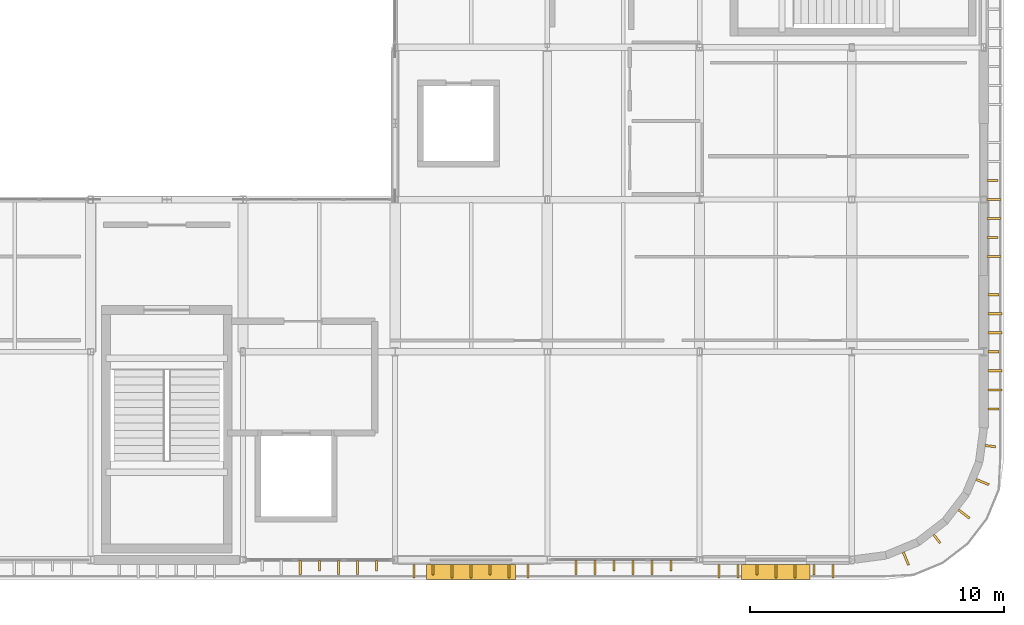
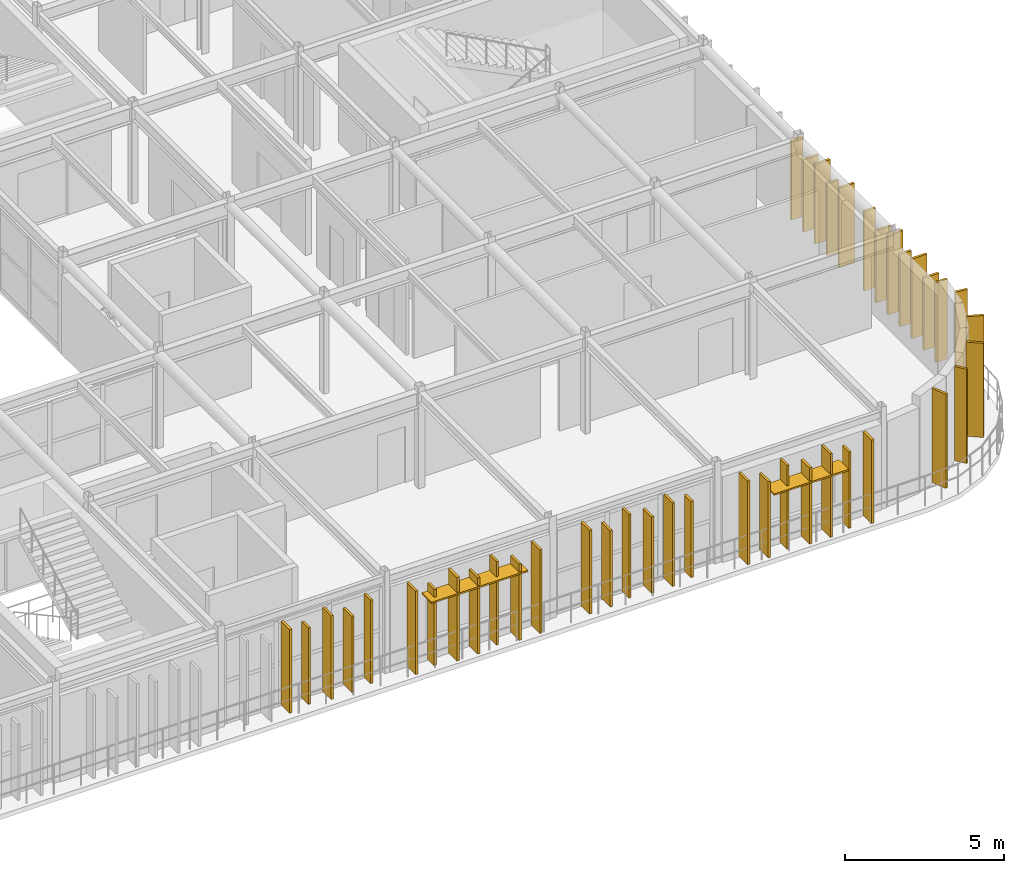
# One storey, part 25 of 27: 42 coverings, 2 shading devices.
"""IFC4 building model written with IfcOpenShell, lengths in metres."""

import ifcopenshell
import ifcopenshell.guid

model = None  # the IFC model being written
_history = None  # IfcOwnerHistory: only IFC2X3 demands one
_inside = {}  # id of a spatial element -> (the spatial element, [elements in it])
_under = {}  # id of a project, library or spatial element -> (it, [spatial elements below it])
_declared = {}  # id of a project -> (the project, [libraries it declares])
_typed = {}  # id of a type object -> (the type object, [elements of that type])
_made_of = {}  # id of a material, layer set ... -> (it, [elements and type objects made of it])


def new_model(schema):
    """Start an empty IFC model of exactly this schema.

    Asked for "IFC4X3", IfcOpenShell would pick the latest addendum, in which some entities
    have other attributes; the version numbers below select the first issue.
    IFC2X3 requires an IfcOwnerHistory on every rooted entity: one is made here for all.
    """
    global model, _history
    if schema == "IFC4X3":
        model = ifcopenshell.file(schema_version=(4, 3, 0, 0))
    else:
        model = ifcopenshell.file(schema=schema)
    _inside.clear()
    _under.clear()
    _declared.clear()
    _typed.clear()
    _made_of.clear()
    _history = None
    if model.schema == "IFC2X3":
        org = make("IfcOrganization", Name="unknown")
        user = make(
            "IfcPersonAndOrganization",
            ThePerson=make("IfcPerson", FamilyName="unknown"),
            TheOrganization=org,
        )
        app = make(
            "IfcApplication",
            ApplicationDeveloper=org,
            Version="unknown",
            ApplicationFullName="unknown",
            ApplicationIdentifier="unknown",
        )
        _history = make(
            "IfcOwnerHistory",
            OwningUser=user,
            OwningApplication=app,
            ChangeAction="ADDED",
            CreationDate=0,
        )
    return model


def make(cls, **values):
    """One entity of the class cls with the attributes given. An attribute that is None is left unset."""
    return model.create_entity(
        cls, **{name: value for name, value in values.items() if value is not None}
    )


def rooted(cls, **values):
    """An entity with a GlobalId (a new one), such as an element, a storey or a relation."""
    return make(cls, GlobalId=ifcopenshell.guid.new(), OwnerHistory=_history, **values)


def si_unit(unit_type, name, prefix=None):
    """IfcSIUnit, for example si_unit("LENGTHUNIT", "METRE", prefix="MILLI")."""
    return make("IfcSIUnit", UnitType=unit_type, Prefix=prefix, Name=name)


def assignment(units):
    """IfcUnitAssignment: the units of a project."""
    return None if units is None else make("IfcUnitAssignment", Units=units)


def point(xyz):
    """IfcCartesianPoint."""
    return None if xyz is None else make("IfcCartesianPoint", Coordinates=xyz)


def direction(xyz):
    """IfcDirection."""
    return None if xyz is None else make("IfcDirection", DirectionRatios=xyz)


def frame(location, z_axis=None, x_axis=None):
    """IfcAxis2Placement3D, a coordinate frame: its origin and axes. An axis left out is left unset."""
    return make(
        "IfcAxis2Placement3D",
        Location=point(location),
        Axis=direction(z_axis),
        RefDirection=direction(x_axis),
    )


def frame_2d(location, x_axis=None):
    """IfcAxis2Placement2D, a coordinate frame in the plane: its origin and x axis."""
    return make(
        "IfcAxis2Placement2D", Location=point(location), RefDirection=direction(x_axis)
    )


def origin():
    """The frame at (0, 0, 0) with its axes left unset."""
    return frame((0.0, 0.0, 0.0))


def origin_2d():
    """The frame at (0, 0) in the plane with its x axis left unset."""
    return frame_2d((0.0, 0.0))


def place(relative_to, where):
    """IfcLocalPlacement: puts the frame where relative to a parent placement (None: the world)."""
    return make(
        "IfcLocalPlacement", PlacementRelTo=relative_to, RelativePlacement=where
    )


def context(
    kind, dimensions, precision=None, world=None, true_north=None, identifier=None
):
    """IfcGeometricRepresentationContext, for example the 3D "Model" context."""
    return make(
        "IfcGeometricRepresentationContext",
        ContextIdentifier=identifier,
        ContextType=kind,
        CoordinateSpaceDimension=dimensions,
        Precision=precision,
        WorldCoordinateSystem=world,
        TrueNorth=true_north,
    )


def subcontext(parent, identifier, kind, view, scale=None):
    """IfcGeometricRepresentationSubContext, for example "Body" below "Model"."""
    return make(
        "IfcGeometricRepresentationSubContext",
        ContextIdentifier=identifier,
        ContextType=kind,
        ParentContext=parent,
        TargetScale=scale,
        TargetView=view,
    )


def project(units=None, contexts=None):
    """IfcProject with its units and contexts."""
    return rooted(
        "IfcProject",
        Name="project",
        RepresentationContexts=contexts,
        UnitsInContext=assignment(units),
    )


def spatial(cls, under=None, at=None, **own):
    """A site, building, storey or space (cls), placed at a placement, below another one or the project."""
    s = rooted(cls, ObjectPlacement=at, **own)
    if under is not None:
        _under.setdefault(under.id(), (under, []))[1].append(s)
    return s


def profile(cls, at=None, kind="AREA", **sizes):
    """A parametric profile (cls). Its sizes go by their IFC names, for example OverallWidth=200.0."""
    return make(cls, ProfileType=kind, Position=at, **sizes)


def rectangle(**sizes):
    """IfcRectangleProfileDef."""
    return profile("IfcRectangleProfileDef", **sizes)


def extrude(swept, where, along, depth):
    """IfcExtrudedAreaSolid: the profile swept, set in the frame where, extruded along a direction by depth."""
    return make(
        "IfcExtrudedAreaSolid",
        SweptArea=swept,
        Position=where,
        ExtrudedDirection=direction(along),
        Depth=depth,
    )


def shape(context_of_items, identifier, shape_type, items):
    """IfcShapeRepresentation: the items that make up one representation, for example the "Body"."""
    return make(
        "IfcShapeRepresentation",
        ContextOfItems=context_of_items,
        RepresentationIdentifier=identifier,
        RepresentationType=shape_type,
        Items=items,
    )


def material(Name=None, Category=None):
    """IfcMaterial."""
    return make("IfcMaterial", Name=Name, Category=Category)


def layer(
    of_material, thickness, ventilated=None, Name=None, Category=None, Priority=None
):
    """IfcMaterialLayer: one layer of a wall or slab, of a material (None: an air gap)."""
    return make(
        "IfcMaterialLayer",
        Material=of_material,
        LayerThickness=thickness,
        IsVentilated=ventilated,
        Name=Name,
        Category=Category,
        Priority=Priority,
    )


def layer_set(layers, Name=None):
    """IfcMaterialLayerSet."""
    return make("IfcMaterialLayerSet", MaterialLayers=layers, LayerSetName=Name)


def made_of(thing, what):
    """Note that an element or type object is made of a material, layer set ...; save() writes the relation."""
    if what is not None:
        _made_of.setdefault(what.id(), (what, []))[1].append(thing)
    return thing


def type_object(cls, material=None, **own):
    """A type object (cls), such as IfcWallType, which elements share."""
    return made_of(rooted(cls, **own), material)


def element(
    cls,
    number,
    at=None,
    inside=None,
    cuts=None,
    type_object=None,
    material=None,
    context=None,
    identifier="Body",
    shape_type=None,
    held_by="IfcProductDefinitionShape",
    body=None,
    shapes=None,
    **own,
):
    """One element of the class cls, such as IfcWall. Its Tag is "e" and its number.

    at: its placement. inside: the storey or other place that contains it. cuts: it is an
    opening in that element (IfcRelVoidsElement). A single representation is given by context,
    identifier, shape_type and body (its items); several are given by shapes. held_by: the class
    of the entity that holds the representations. save() writes the other relations.
    """
    e = rooted(cls, Tag="e%d" % number, ObjectPlacement=at, **own)
    if body is not None:
        shapes = [shape(context, identifier, shape_type, body)]
    if shapes is not None:
        e.Representation = make(held_by, Representations=shapes)
    if inside is not None:
        _inside.setdefault(inside.id(), (inside, []))[1].append(e)
    if cuts is not None:
        rooted(
            "IfcRelVoidsElement", RelatingBuildingElement=cuts, RelatedOpeningElement=e
        )
    if type_object is not None:
        _typed.setdefault(type_object.id(), (type_object, []))[1].append(e)
    return made_of(e, material)


def aggregate(whole, parts):
    """IfcRelAggregates: a whole, such as a stair, and the parts it consists of."""
    return rooted("IfcRelAggregates", RelatingObject=whole, RelatedObjects=parts)


def save(model, path):
    """Write the relations noted so far, then the file.

    IfcRelAggregates (storeys below a building ...), IfcRelContainedInSpatialStructure (elements
    in a storey), IfcRelDefinesByType, IfcRelAssociatesMaterial and IfcRelDeclares: one each for
    every whole, place, type object, material and project.
    """
    for whole, parts in _under.values():
        aggregate(whole, parts)
    for where, things in _inside.values():
        rooted(
            "IfcRelContainedInSpatialStructure",
            RelatedElements=things,
            RelatingStructure=where,
        )
    for kind, things in _typed.values():
        rooted("IfcRelDefinesByType", RelatedObjects=things, RelatingType=kind)
    for what, things in _made_of.values():
        rooted("IfcRelAssociatesMaterial", RelatedObjects=things, RelatingMaterial=what)
    for by, libraries in _declared.values():
        rooted("IfcRelDeclares", RelatingContext=by, RelatedDefinitions=libraries)
    model.write(path)


model = new_model("IFC4")

# Units and contexts
model_context = context("Model", 3, precision=1e-05, world=origin(), true_north=direction((0.0, 1.0)))
body_context = subcontext(model_context, "Body", "Model", "MODEL_VIEW")
ifc_project = project(units=[si_unit("LENGTHUNIT", "METRE"), si_unit("AREAUNIT", "SQUARE_METRE"), si_unit("VOLUMEUNIT", "CUBIC_METRE"), si_unit("PLANEANGLEUNIT", "RADIAN"), si_unit("MASSUNIT", "GRAM", prefix="KILO")], contexts=[model_context])

# Site, building, storey
site_placement = place(None, origin())
site = spatial("IfcSite", under=ifc_project, at=site_placement, CompositionType="ELEMENT")
building_placement = place(site_placement, origin())
building = spatial("IfcBuilding", under=site, at=building_placement, Name="Varnakota Square Police Headquarters", CompositionType="ELEMENT")
storey_placement = place(building_placement, frame((0.0, 0.0, 26.10009765625)))
storey = spatial("IfcBuildingStorey", under=building, at=storey_placement, Name="L06", CompositionType="ELEMENT", Elevation=26.10009765625)

# Coverings
ifc_material_1 = material(Name="White Anodised Aluminium Vertical Facade Blade 420", Category="aluminium")
ifc_layer_1 = layer(ifc_material_1, 0.0849609375, Name="White Anodised Aluminium Vertical Facade Blade 420")
ifc_layer_set_1 = layer_set([ifc_layer_1], Name="White Anodised Aluminium Vertical Facade Blade 420")
covering_type_1 = type_object("IfcCoveringType", Name="COV-FIN-420", PredefinedType="CLADDING", material=ifc_layer_set_1)
covering_1_placement = place(storey_placement, frame((135.012451171875, 0.5625, 0.0400390625), z_axis=(0.0, 0.0, 1.0), x_axis=(1.0, 0.0, 0.0)))
element("IfcCovering", 1, at=covering_1_placement, inside=storey, type_object=covering_type_1, Name="Vertical aluminium facade fin FIN-0745", PredefinedType="CLADDING", context=body_context, shape_type="SweptSolid", body=[
    extrude(rectangle(XDim=0.0849609375, YDim=0.419921875, at=origin_2d()), origin(), (0.0, 0.0, 1.0), 2.919921875),
])
covering_2_placement = place(storey_placement, frame((137.262451171875, 0.5625, 0.0400390625), z_axis=(0.0, 0.0, 1.0), x_axis=(1.0, 0.0, 0.0)))
element("IfcCovering", 2, at=covering_2_placement, inside=storey, type_object=covering_type_1, Name="Vertical aluminium facade fin FIN-0748", PredefinedType="CLADDING", context=body_context, shape_type="SweptSolid", body=[
    extrude(rectangle(XDim=0.0849609375, YDim=0.419921875, at=origin_2d()), origin(), (0.0, 0.0, 1.0), 3.199951171875),
])
covering_3_placement = place(storey_placement, frame((139.487548828125, 0.4150390625, 0.0400390625), z_axis=(0.0, 0.0, 1.0), x_axis=(1.0, 0.0, 0.0)))
element("IfcCovering", 3, at=covering_3_placement, inside=storey, type_object=covering_type_1, Name="Vertical aluminium facade fin FIN-0750", PredefinedType="CLADDING", context=body_context, shape_type="SweptSolid", body=[
    extrude(rectangle(XDim=0.0849609375, YDim=0.419921875, at=origin_2d()), origin(), (0.0, 0.0, 1.0), 2.919921875),
])
for number, where, z_axis, x_axis, name in (
    (4, (141.737548828125, 0.4150390625, 0.0400390625), (0.0, 0.0, 1.0), (1.0, 0.0, 0.0), "Vertical aluminium facade fin FIN-0753"),
    (5, (146.625, 0.5625, 0.0400390625), (0.0, 0.0, 1.0), (1.0, 0.0, 0.0), "Vertical aluminium facade fin FIN-0758"),
):
    element("IfcCovering", number, at=place(storey_placement, frame(where, z_axis=z_axis, x_axis=x_axis)), inside=storey, type_object=covering_type_1, Name=name, PredefinedType="CLADDING", context=body_context, shape_type="SweptSolid", body=[
        extrude(rectangle(XDim=0.0849609375, YDim=0.419921875, at=origin_2d()), origin(), (0.0, 0.0, 1.0), 3.199951171875),
    ])
covering_4_placement = place(storey_placement, frame((148.875, 0.5625, 0.0400390625), z_axis=(0.0, 0.0, 1.0), x_axis=(1.0, 0.0, 0.0)))
element("IfcCovering", 6, at=covering_4_placement, inside=storey, type_object=covering_type_1, Name="Vertical aluminium facade fin FIN-0761", PredefinedType="CLADDING", context=body_context, shape_type="SweptSolid", body=[
    extrude(rectangle(XDim=0.0849609375, YDim=0.419921875, at=origin_2d()), origin(), (0.0, 0.0, 1.0), 2.919921875),
])
covering_5_placement = place(storey_placement, frame((152.262451171875, 0.4150390625, 0.0400390625), z_axis=(0.0, 0.0, 1.0), x_axis=(1.0, 0.0, 0.0)))
element("IfcCovering", 7, at=covering_5_placement, inside=storey, type_object=covering_type_1, Name="Vertical aluminium facade fin FIN-0764", PredefinedType="CLADDING", context=body_context, shape_type="SweptSolid", body=[
    extrude(rectangle(XDim=0.0849609375, YDim=0.419921875, at=origin_2d()), origin(), (0.0, 0.0, 1.0), 3.199951171875),
])
covering_6_placement = place(storey_placement, frame((154.512451171875, 0.4150390625, 0.0400390625), z_axis=(0.0, 0.0, 1.0), x_axis=(1.0, 0.0, 0.0)))
element("IfcCovering", 8, at=covering_6_placement, inside=storey, type_object=covering_type_1, Name="Vertical aluminium facade fin FIN-0767", PredefinedType="CLADDING", context=body_context, shape_type="SweptSolid", body=[
    extrude(rectangle(XDim=0.0849609375, YDim=0.419921875, at=origin_2d()), origin(), (0.0, 0.0, 1.0), 2.919921875),
])
covering_7_placement = place(storey_placement, frame((161.5849609375, 6.75, 0.0400390625), z_axis=(0.0, 0.0, 1.0), x_axis=(0.0, 1.0, 0.0)))
element("IfcCovering", 9, at=covering_7_placement, inside=storey, type_object=covering_type_1, Name="Vertical aluminium facade fin FIN-0769", PredefinedType="CLADDING", context=body_context, shape_type="SweptSolid", body=[
    extrude(rectangle(XDim=0.0849609375, YDim=0.419921875, at=origin_2d()), origin(), (0.0, 0.0, 1.0), 3.050048828125),
])
covering_8_placement = place(storey_placement, frame((161.5849609375, 9.0, 0.039794921875), z_axis=(0.0, 0.0, 1.0), x_axis=(0.0, 1.0, 0.0)))
element("IfcCovering", 10, at=covering_8_placement, inside=storey, type_object=covering_type_1, Name="Vertical aluminium facade fin FIN-0772", PredefinedType="CLADDING", context=body_context, shape_type="SweptSolid", body=[
    extrude(rectangle(XDim=0.0849609375, YDim=0.419921875, at=origin_2d()), origin(), (0.0, 0.0, 1.0), 2.77001953125),
])
covering_9_placement = place(storey_placement, frame((161.5849609375, 11.25, 0.0400390625), z_axis=(0.0, 0.0, 1.0), x_axis=(0.0, 1.0, 0.0)))
element("IfcCovering", 11, at=covering_9_placement, inside=storey, type_object=covering_type_1, Name="Vertical aluminium facade fin FIN-0775", PredefinedType="CLADDING", context=body_context, shape_type="SweptSolid", body=[
    extrude(rectangle(XDim=0.0849609375, YDim=0.419921875, at=origin_2d()), origin(), (0.0, 0.0, 1.0), 3.050048828125),
])
covering_10_placement = place(storey_placement, frame((161.544921875, 13.5, 0.039794921875), z_axis=(0.0, 0.0, 1.0), x_axis=(0.0, 1.0, 0.0)))
element("IfcCovering", 12, at=covering_10_placement, inside=storey, type_object=covering_type_1, Name="Vertical aluminium facade fin FIN-0777", PredefinedType="CLADDING", context=body_context, shape_type="SweptSolid", body=[
    extrude(rectangle(XDim=0.0849609375, YDim=0.419921875, at=origin_2d()), origin(), (0.0, 0.0, 1.0), 2.77001953125),
])
covering_11_placement = place(storey_placement, frame((161.544921875, 15.75, 0.0400390625), z_axis=(0.0, 0.0, 1.0), x_axis=(0.0, 1.0, 0.0)))
element("IfcCovering", 13, at=covering_11_placement, inside=storey, type_object=covering_type_1, Name="Vertical aluminium facade fin FIN-0780", PredefinedType="CLADDING", context=body_context, shape_type="SweptSolid", body=[
    extrude(rectangle(XDim=0.0849609375, YDim=0.419921875, at=origin_2d()), origin(), (0.0, 0.0, 1.0), 3.050048828125),
])
for number, where, z_axis, x_axis, name in (
    (14, (159.3544921875, 1.628173828125, 0.039794921875), (0.0, 0.0, 1.0), (0.793353340291, 0.608761429009, 0.0), "Vertical aluminium facade fin FIN-0808"),
    (15, (161.46337890625, 5.28076171875, 0.039794921875), (0.0, 0.0, 1.0), (0.13052619222, 0.991444861374, 0.0), "Vertical aluminium facade fin FIN-0811"),
):
    element("IfcCovering", number, at=place(storey_placement, frame(where, z_axis=z_axis, x_axis=x_axis)), inside=storey, type_object=covering_type_1, Name=name, PredefinedType="CLADDING", context=body_context, shape_type="SweptSolid", body=[
        extrude(rectangle(XDim=0.0849609375, YDim=0.419921875, at=origin_2d()), origin(), (0.0, 0.0, 1.0), 3.60498046875),
    ])
ifc_material_2 = material(Name="White Anodised Aluminium Vertical Facade Blade 550", Category="aluminium")
ifc_layer_2 = layer(ifc_material_2, 0.0849609375, Name="White Anodised Aluminium Vertical Facade Blade 550")
ifc_layer_set_2 = layer_set([ifc_layer_2], Name="White Anodised Aluminium Vertical Facade Blade 550")
covering_type_2 = type_object("IfcCoveringType", Name="COV-FIN-550", PredefinedType="CLADDING", material=ifc_layer_set_2)
for number, where, z_axis, x_axis, name in (
    (16, (134.262451171875, 0.49755859375, 0.0400390625), (0.0, 0.0, 1.0), (1.0, 0.0, 0.0), "Vertical aluminium facade fin FIN-0744"),
    (17, (135.762451171875, 0.49755859375, 0.0400390625), (0.0, 0.0, 1.0), (1.0, 0.0, 0.0), "Vertical aluminium facade fin FIN-0746"),
):
    element("IfcCovering", number, at=place(storey_placement, frame(where, z_axis=z_axis, x_axis=x_axis)), inside=storey, type_object=covering_type_2, Name=name, PredefinedType="CLADDING", context=body_context, shape_type="SweptSolid", body=[
        extrude(rectangle(XDim=0.0849609375, YDim=0.550048828125, at=origin_2d()), origin(), (0.0, 0.0, 1.0), 3.199951171875),
    ])
covering_12_placement = place(storey_placement, frame((136.512451171875, 0.49755859375, 0.0400390625), z_axis=(0.0, 0.0, 1.0), x_axis=(1.0, 0.0, 0.0)))
element("IfcCovering", 18, at=covering_12_placement, inside=storey, type_object=covering_type_2, Name="Vertical aluminium facade fin FIN-0747", PredefinedType="CLADDING", context=body_context, shape_type="SweptSolid", body=[
    extrude(rectangle(XDim=0.0849609375, YDim=0.550048828125, at=origin_2d()), origin(), (0.0, 0.0, 1.0), 2.919921875),
])
for number, where, z_axis, x_axis, name in (
    (19, (138.737548828125, 0.35009765625, 0.0400390625), (0.0, 0.0, 1.0), (1.0, 0.0, 0.0), "Vertical aluminium facade fin FIN-0749"),
    (20, (140.237548828125, 0.35009765625, 0.0400390625), (0.0, 0.0, 1.0), (1.0, 0.0, 0.0), "Vertical aluminium facade fin FIN-0751"),
):
    element("IfcCovering", number, at=place(storey_placement, frame(where, z_axis=z_axis, x_axis=x_axis)), inside=storey, type_object=covering_type_2, Name=name, PredefinedType="CLADDING", context=body_context, shape_type="SweptSolid", body=[
        extrude(rectangle(XDim=0.0849609375, YDim=0.550048828125, at=origin_2d()), origin(), (0.0, 0.0, 1.0), 3.199951171875),
    ])
for number, where, z_axis, x_axis, name in (
    (21, (140.987548828125, 0.35009765625, 0.0400390625), (0.0, 0.0, 1.0), (1.0, 0.0, 0.0), "Vertical aluminium facade fin FIN-0752"),
    (22, (142.487548828125, 0.35009765625, 0.0400390625), (0.0, 0.0, 1.0), (1.0, 0.0, 0.0), "Vertical aluminium facade fin FIN-0754"),
):
    element("IfcCovering", number, at=place(storey_placement, frame(where, z_axis=z_axis, x_axis=x_axis)), inside=storey, type_object=covering_type_2, Name=name, PredefinedType="CLADDING", context=body_context, shape_type="SweptSolid", body=[
        extrude(rectangle(XDim=0.0849609375, YDim=0.550048828125, at=origin_2d()), origin(), (0.0, 0.0, 1.0), 2.919921875),
    ])
for number, where, z_axis, x_axis, name in (
    (23, (143.237548828125, 0.35009765625, 0.0400390625), (0.0, 0.0, 1.0), (1.0, 0.0, 0.0), "Vertical aluminium facade fin FIN-0755"),
    (24, (145.125, 0.49755859375, 0.0400390625), (0.0, 0.0, 1.0), (1.0, 0.0, 0.0), "Vertical aluminium facade fin FIN-0756"),
):
    element("IfcCovering", number, at=place(storey_placement, frame(where, z_axis=z_axis, x_axis=x_axis)), inside=storey, type_object=covering_type_2, Name=name, PredefinedType="CLADDING", context=body_context, shape_type="SweptSolid", body=[
        extrude(rectangle(XDim=0.0849609375, YDim=0.550048828125, at=origin_2d()), origin(), (0.0, 0.0, 1.0), 3.199951171875),
    ])
for number, where, z_axis, x_axis, name in (
    (25, (145.875, 0.49755859375, 0.0400390625), (0.0, 0.0, 1.0), (1.0, 0.0, 0.0), "Vertical aluminium facade fin FIN-0757"),
    (26, (147.375, 0.49755859375, 0.0400390625), (0.0, 0.0, 1.0), (1.0, 0.0, 0.0), "Vertical aluminium facade fin FIN-0759"),
):
    element("IfcCovering", number, at=place(storey_placement, frame(where, z_axis=z_axis, x_axis=x_axis)), inside=storey, type_object=covering_type_2, Name=name, PredefinedType="CLADDING", context=body_context, shape_type="SweptSolid", body=[
        extrude(rectangle(XDim=0.0849609375, YDim=0.550048828125, at=origin_2d()), origin(), (0.0, 0.0, 1.0), 2.919921875),
    ])
for number, where, z_axis, x_axis, name in (
    (27, (148.125, 0.49755859375, 0.0400390625), (0.0, 0.0, 1.0), (1.0, 0.0, 0.0), "Vertical aluminium facade fin FIN-0760"),
    (28, (150.762451171875, 0.35009765625, 0.0400390625), (0.0, 0.0, 1.0), (1.0, 0.0, 0.0), "Vertical aluminium facade fin FIN-0762"),
):
    element("IfcCovering", number, at=place(storey_placement, frame(where, z_axis=z_axis, x_axis=x_axis)), inside=storey, type_object=covering_type_2, Name=name, PredefinedType="CLADDING", context=body_context, shape_type="SweptSolid", body=[
        extrude(rectangle(XDim=0.0849609375, YDim=0.550048828125, at=origin_2d()), origin(), (0.0, 0.0, 1.0), 3.199951171875),
    ])
for number, where, z_axis, x_axis, name in (
    (29, (151.512451171875, 0.35009765625, 0.0400390625), (0.0, 0.0, 1.0), (1.0, 0.0, 0.0), "Vertical aluminium facade fin FIN-0763"),
    (30, (153.012451171875, 0.35009765625, 0.0400390625), (0.0, 0.0, 1.0), (1.0, 0.0, 0.0), "Vertical aluminium facade fin FIN-0765"),
):
    element("IfcCovering", number, at=place(storey_placement, frame(where, z_axis=z_axis, x_axis=x_axis)), inside=storey, type_object=covering_type_2, Name=name, PredefinedType="CLADDING", context=body_context, shape_type="SweptSolid", body=[
        extrude(rectangle(XDim=0.0849609375, YDim=0.550048828125, at=origin_2d()), origin(), (0.0, 0.0, 1.0), 2.919921875),
    ])
for number, where, z_axis, x_axis, name in (
    (31, (153.762451171875, 0.35009765625, 0.0400390625), (0.0, 0.0, 1.0), (1.0, 0.0, 0.0), "Vertical aluminium facade fin FIN-0766"),
    (32, (155.262451171875, 0.35009765625, 0.0400390625), (0.0, 0.0, 1.0), (1.0, 0.0, 0.0), "Vertical aluminium facade fin FIN-0768"),
):
    element("IfcCovering", number, at=place(storey_placement, frame(where, z_axis=z_axis, x_axis=x_axis)), inside=storey, type_object=covering_type_2, Name=name, PredefinedType="CLADDING", context=body_context, shape_type="SweptSolid", body=[
        extrude(rectangle(XDim=0.0849609375, YDim=0.550048828125, at=origin_2d()), origin(), (0.0, 0.0, 1.0), 3.199951171875),
    ])
covering_13_placement = place(storey_placement, frame((161.64990234375, 7.5, 0.039794921875), z_axis=(0.0, 0.0, 1.0), x_axis=(0.0, 1.0, 0.0)))
element("IfcCovering", 33, at=covering_13_placement, inside=storey, type_object=covering_type_2, Name="Vertical aluminium facade fin FIN-0770", PredefinedType="CLADDING", context=body_context, shape_type="SweptSolid", body=[
    extrude(rectangle(XDim=0.0849609375, YDim=0.550048828125, at=origin_2d()), origin(), (0.0, 0.0, 1.0), 2.77001953125),
])
for number, where, z_axis, x_axis, name in (
    (34, (161.64990234375, 8.25, 0.0400390625), (0.0, 0.0, 1.0), (0.0, 1.0, 0.0), "Vertical aluminium facade fin FIN-0771"),
    (35, (161.64990234375, 9.75, 0.0400390625), (0.0, 0.0, 1.0), (0.0, 1.0, 0.0), "Vertical aluminium facade fin FIN-0773"),
):
    element("IfcCovering", number, at=place(storey_placement, frame(where, z_axis=z_axis, x_axis=x_axis)), inside=storey, type_object=covering_type_2, Name=name, PredefinedType="CLADDING", context=body_context, shape_type="SweptSolid", body=[
        extrude(rectangle(XDim=0.0849609375, YDim=0.550048828125, at=origin_2d()), origin(), (0.0, 0.0, 1.0), 3.050048828125),
    ])
covering_14_placement = place(storey_placement, frame((161.64990234375, 10.5, 0.039794921875), z_axis=(0.0, 0.0, 1.0), x_axis=(0.0, 1.0, 0.0)))
element("IfcCovering", 36, at=covering_14_placement, inside=storey, type_object=covering_type_2, Name="Vertical aluminium facade fin FIN-0774", PredefinedType="CLADDING", context=body_context, shape_type="SweptSolid", body=[
    extrude(rectangle(XDim=0.0849609375, YDim=0.550048828125, at=origin_2d()), origin(), (0.0, 0.0, 1.0), 2.77001953125),
])
for number, where, z_axis, x_axis, name in (
    (37, (161.610107421875, 12.75, 0.0400390625), (0.0, 0.0, 1.0), (0.0, 1.0, 0.0), "Vertical aluminium facade fin FIN-0776"),
    (38, (161.610107421875, 14.25, 0.0400390625), (0.0, 0.0, 1.0), (0.0, 1.0, 0.0), "Vertical aluminium facade fin FIN-0778"),
):
    element("IfcCovering", number, at=place(storey_placement, frame(where, z_axis=z_axis, x_axis=x_axis)), inside=storey, type_object=covering_type_2, Name=name, PredefinedType="CLADDING", context=body_context, shape_type="SweptSolid", body=[
        extrude(rectangle(XDim=0.0849609375, YDim=0.550048828125, at=origin_2d()), origin(), (0.0, 0.0, 1.0), 3.050048828125),
    ])
covering_15_placement = place(storey_placement, frame((161.610107421875, 15.0, 0.039794921875), z_axis=(0.0, 0.0, 1.0), x_axis=(0.0, 1.0, 0.0)))
element("IfcCovering", 39, at=covering_15_placement, inside=storey, type_object=covering_type_2, Name="Vertical aluminium facade fin FIN-0779", PredefinedType="CLADDING", context=body_context, shape_type="SweptSolid", body=[
    extrude(rectangle(XDim=0.0849609375, YDim=0.550048828125, at=origin_2d()), origin(), (0.0, 0.0, 1.0), 2.77001953125),
])
for number, where, z_axis, x_axis, name in (
    (40, (158.1337890625, 0.848876953125, 0.039794921875), (0.0, 0.0, 1.0), (0.923879532511, 0.382683432365, 0.0), "Vertical aluminium facade fin FIN-0807"),
    (41, (160.42333984375, 2.605712890625, 0.039794921875), (0.0, 0.0, 1.0), (0.608761429009, 0.793353340291, 0.0), "Vertical aluminium facade fin FIN-0809"),
    (42, (161.151123046875, 3.8662109375, 0.039794921875), (0.0, 0.0, 1.0), (0.382683432365, 0.923879532511, 0.0), "Vertical aluminium facade fin FIN-0810"),
):
    element("IfcCovering", number, at=place(storey_placement, frame(where, z_axis=z_axis, x_axis=x_axis)), inside=storey, type_object=covering_type_2, Name=name, PredefinedType="CLADDING", context=body_context, shape_type="SweptSolid", body=[
        extrude(rectangle(XDim=0.0849609375, YDim=0.550048828125, at=origin_2d()), origin(), (0.0, 0.0, 1.0), 3.60498046875),
    ])

# Shading devices
ifc_material_3 = material(Name="Anodised Aluminium Horizontal Brise-Soleil", Category="aluminium")
ifc_layer_3 = layer(ifc_material_3, 0.06005859375, Name="Anodised Aluminium Horizontal Brise-Soleil")
ifc_layer_set_3 = layer_set([ifc_layer_3], Name="Anodised Aluminium Horizontal Brise-Soleil")
shading_device_type = type_object("IfcShadingDeviceType", Name="SHD-JAL-600", PredefinedType="JALOUSIE", material=ifc_layer_set_3)
shading_device_1_placement = place(storey_placement, frame((140.987548828125, 0.322021484375, 2.599853515625), z_axis=(0.0, 0.0, 1.0), x_axis=(1.0, 0.0, 0.0)))
element("IfcShadingDevice", 43, at=shading_device_1_placement, inside=storey, type_object=shading_device_type, Name="Horizontal sunshade SHD-036", PredefinedType="JALOUSIE", context=body_context, shape_type="SweptSolid", body=[
    extrude(rectangle(XDim=3.5, YDim=0.60009765625, at=origin_2d()), origin(), (0.0, 0.0, 1.0), 0.06005859375),
])
shading_device_2_placement = place(storey_placement, frame((153.012451171875, 0.322021484375, 2.39990234375), z_axis=(0.0, 0.0, 1.0), x_axis=(1.0, 0.0, 0.0)))
element("IfcShadingDevice", 44, at=shading_device_2_placement, inside=storey, type_object=shading_device_type, Name="Horizontal sunshade SHD-037", PredefinedType="JALOUSIE", context=body_context, shape_type="SweptSolid", body=[
    extrude(rectangle(XDim=2.699951171875, YDim=0.60009765625, at=origin_2d()), origin(), (0.0, 0.0, 1.0), 0.06005859375),
])

save(model, "model.ifc")
